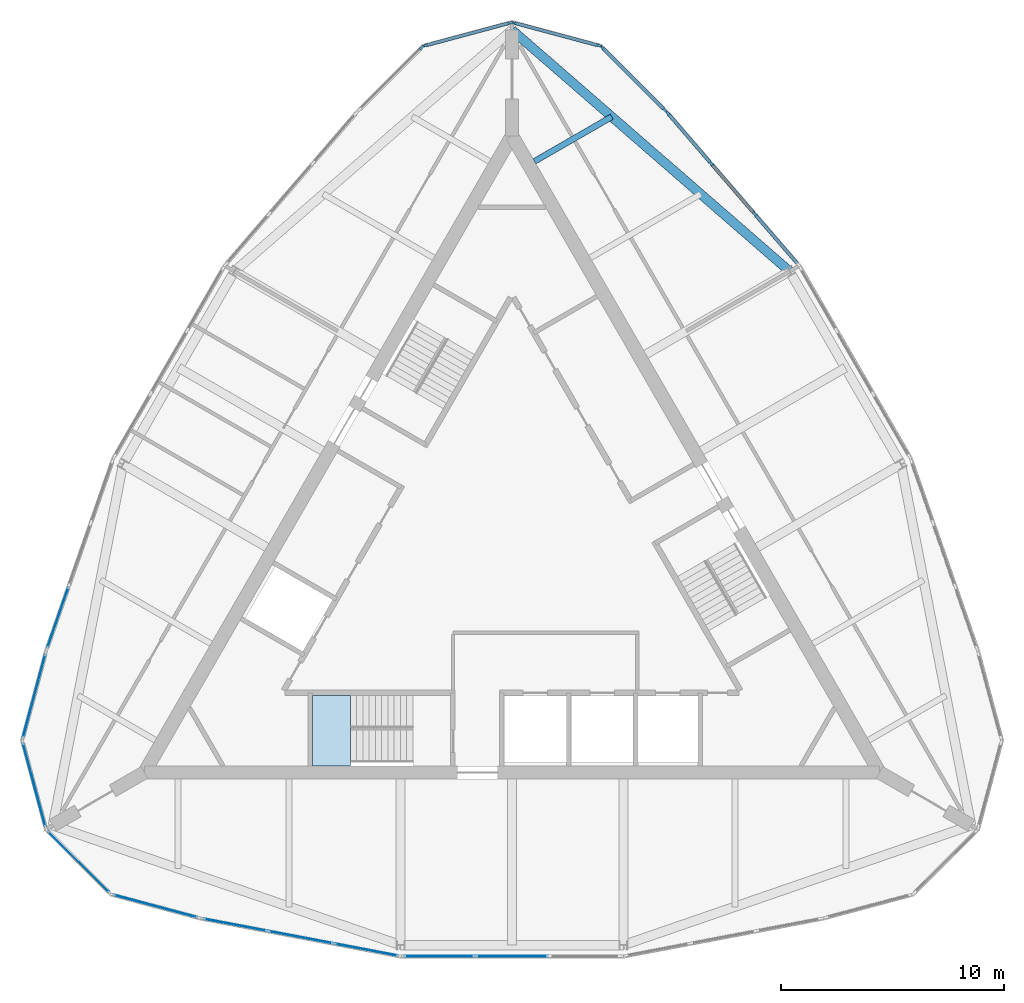
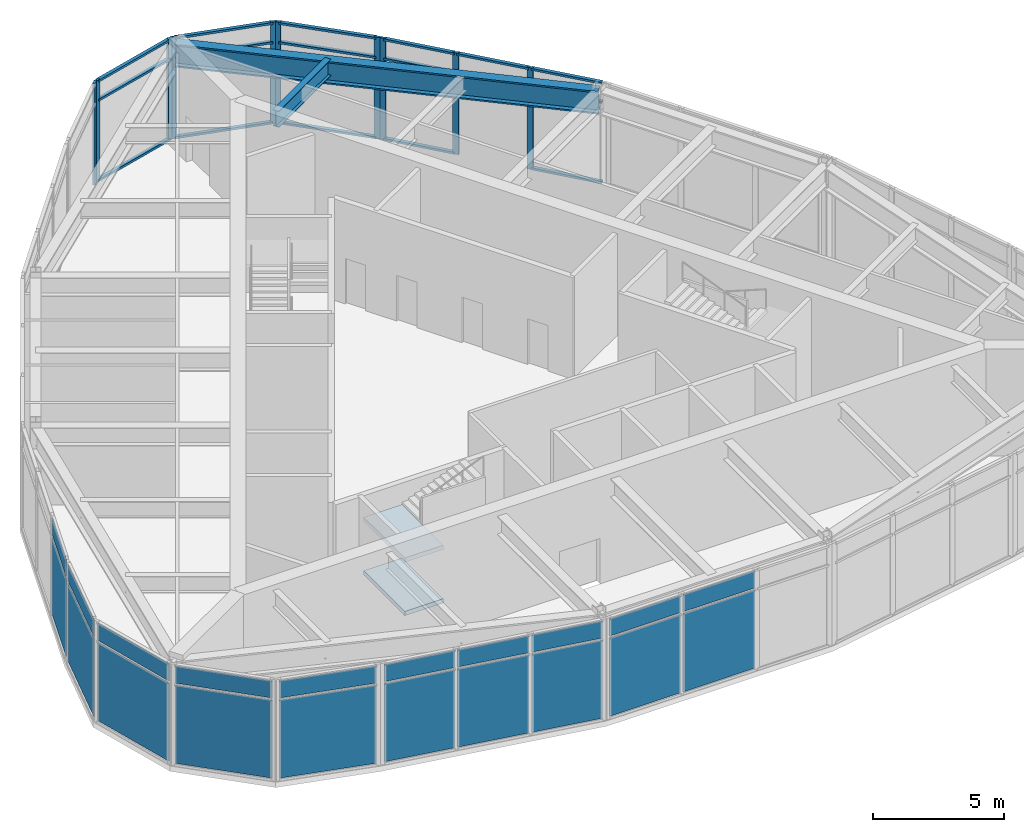
# One storey, part 4 of 9: 26 members, 20 plates, 2 beams, 2 slabs, 13 elements without a shape of their own.
"""IFC4 building model written with IfcOpenShell, lengths in metres."""

from ifc_helpers import new_model, si_unit, direction, frame, origin, origin_2d, place, context, subcontext, project, spatial, polyline, rectangle, i_section, outline, extrude, material, layer, layer_set, material_profile, profile_set, type_object, element, aggregate, save


model = new_model("IFC4")

# Units and contexts
model_context = context("Model", 3, precision=1e-05, world=origin(), true_north=direction((0.0, 1.0)))
body_context = subcontext(model_context, "Body", "Model", "MODEL_VIEW")
ifc_project = project(units=[si_unit("LENGTHUNIT", "METRE"), si_unit("AREAUNIT", "SQUARE_METRE"), si_unit("VOLUMEUNIT", "CUBIC_METRE"), si_unit("PLANEANGLEUNIT", "RADIAN"), si_unit("MASSUNIT", "GRAM", prefix="KILO")], contexts=[model_context])

# Site, building, storey
site_placement = place(None, origin())
site = spatial("IfcSite", under=ifc_project, at=site_placement, CompositionType="ELEMENT")
building_placement = place(site_placement, origin())
building = spatial("IfcBuilding", under=site, at=building_placement, Name="Trikona Tower", CompositionType="ELEMENT")
storey_placement = place(building_placement, frame((0.0, 0.0, 292.800048828125)))
storey = spatial("IfcBuildingStorey", under=building, at=storey_placement, Name="L76", CompositionType="ELEMENT", Elevation=292.800048828125)

# Curtain wall, members
ifc_material_1 = material(Name="Aluminium curtain wall system", Category="aluminium")
curtain_wall_type = type_object("IfcCurtainWallType", Name="Curtain wall OB", PredefinedType="NOTDEFINED", material=ifc_material_1)
curtain_wall_1_placement = place(storey_placement, origin())
curtain_wall_1 = element("IfcCurtainWall", 1, at=curtain_wall_1_placement, inside=storey, type_object=curtain_wall_type, Name="Curtain wall OB L76", PredefinedType="NOTDEFINED")
ifc_material_2 = material(Name="Aluminium mullion, pale anodised", Category="aluminium")
ifc_material_profile_1 = material_profile(ifc_material_2, rectangle(XDim=0.10009765625, YDim=0.25, at=origin_2d()), Name="MUL-OB")
ifc_profile_set_1 = profile_set([ifc_material_profile_1], Name="Aluminium mullion, pale anodised")
member_type_1 = type_object("IfcMemberType", Name="Mullion OB 100x250", PredefinedType="MULLION", material=ifc_profile_set_1)
member_1_placement = place(storey_placement, frame((10.8984375, 15.531005859375, 0.0), z_axis=(0.0, 0.0, 1.0), x_axis=(-0.757475219973, -0.652863914707, 0.0)))
member_1 = element("IfcMember", 2, at=member_1_placement, type_object=member_type_1, Name="CW-OB mullion 2", PredefinedType="MULLION", context=body_context, shape_type="SweptSolid", body=[
    extrude(rectangle(XDim=0.10009765625, YDim=0.25, at=origin_2d()), origin(), (0.0, 0.0, 1.0), 4.75),
])
member_2_placement = place(storey_placement, frame((8.930908203125, 17.813720703125, 0.0), z_axis=(0.0, 0.0, 1.0), x_axis=(-0.757475219973, -0.652863914707, 0.0)))
member_2 = element("IfcMember", 3, at=member_2_placement, type_object=member_type_1, Name="CW-OB mullion 3", PredefinedType="MULLION", context=body_context, shape_type="SweptSolid", body=[
    extrude(rectangle(XDim=0.10009765625, YDim=0.25, at=origin_2d()), origin(), (0.0, 0.0, 1.0), 4.75),
])
member_3_placement = place(storey_placement, frame((6.99609375, 20.058837890625, 0.0), z_axis=(0.0, 0.0, 1.0), x_axis=(-0.757475219973, -0.652863914707, 0.0)))
member_3 = element("IfcMember", 4, at=member_3_placement, type_object=member_type_1, Name="CW-OB mullion 4", PredefinedType="MULLION", context=body_context, shape_type="SweptSolid", body=[
    extrude(rectangle(XDim=0.10009765625, YDim=0.25, at=origin_2d()), origin(), (0.0, 0.0, 1.0), 4.75),
])

curtain_wall_2_placement = place(storey_placement, origin())
curtain_wall_2 = element("IfcCurtainWall", 5, at=curtain_wall_2_placement, inside=storey, type_object=curtain_wall_type, Name="Curtain wall OB L76", PredefinedType="NOTDEFINED")
member_4_placement = place(storey_placement, frame((6.8515625, 20.21435546875, 0.0), z_axis=(0.0, 0.0, 1.0), x_axis=(-0.707106781187, -0.707106781187, 0.0)))
member_4 = element("IfcMember", 6, at=member_4_placement, type_object=member_type_1, Name="CW-OB mullion 1", PredefinedType="MULLION", context=body_context, shape_type="SweptSolid", body=[
    extrude(rectangle(XDim=0.10009765625, YDim=0.25, at=origin_2d()), origin(), (0.0, 0.0, 1.0), 4.75),
])
member_5_placement = place(storey_placement, frame((4.048583984375, 23.017333984375, 0.0), z_axis=(0.0, 0.0, 1.0), x_axis=(-0.707106781187, -0.707106781187, 0.0)))
member_5 = element("IfcMember", 7, at=member_5_placement, type_object=member_type_1, Name="CW-OB mullion 2", PredefinedType="MULLION", context=body_context, shape_type="SweptSolid", body=[
    extrude(rectangle(XDim=0.10009765625, YDim=0.25, at=origin_2d()), origin(), (0.0, 0.0, 1.0), 4.75),
])

curtain_wall_3_placement = place(storey_placement, origin())
curtain_wall_3 = element("IfcCurtainWall", 8, at=curtain_wall_3_placement, inside=storey, type_object=curtain_wall_type, Name="Curtain wall OB L76", PredefinedType="NOTDEFINED")
member_6_placement = place(storey_placement, frame((3.909423828125, 23.09765625, 0.0), z_axis=(0.0, 0.0, 1.0), x_axis=(-0.258827918204, -0.965923448705, 0.0)))
member_6 = element("IfcMember", 9, at=member_6_placement, type_object=member_type_1, Name="CW-OB mullion 1", PredefinedType="MULLION", context=body_context, shape_type="SweptSolid", body=[
    extrude(rectangle(XDim=0.10009765625, YDim=0.25, at=origin_2d()), origin(), (0.0, 0.0, 1.0), 4.75),
])
member_7_placement = place(storey_placement, frame((0.080322265625, 24.123779296875, 0.0), z_axis=(0.0, 0.0, 1.0), x_axis=(-0.258827918204, -0.965923448705, 0.0)))
member_7 = element("IfcMember", 10, at=member_7_placement, type_object=member_type_1, Name="CW-OB mullion 2", PredefinedType="MULLION", context=body_context, shape_type="SweptSolid", body=[
    extrude(rectangle(XDim=0.10009765625, YDim=0.25, at=origin_2d()), origin(), (0.0, 0.0, 1.0), 4.75),
])

curtain_wall_4_placement = place(storey_placement, origin())
curtain_wall_4 = element("IfcCurtainWall", 11, at=curtain_wall_4_placement, inside=storey, type_object=curtain_wall_type, Name="Curtain wall OB L76", PredefinedType="NOTDEFINED")
member_8_placement = place(storey_placement, frame((-0.080322265625, 24.123779296875, 0.0), z_axis=(0.0, 0.0, 1.0), x_axis=(0.258827918204, -0.965923448705, 0.0)))
member_8 = element("IfcMember", 12, at=member_8_placement, type_object=member_type_1, Name="CW-OB mullion 1", PredefinedType="MULLION", context=body_context, shape_type="SweptSolid", body=[
    extrude(rectangle(XDim=0.10009765625, YDim=0.25, at=origin_2d()), origin(), (0.0, 0.0, 1.0), 4.75),
])
member_9_placement = place(storey_placement, frame((-3.909423828125, 23.09765625, 0.0), z_axis=(0.0, 0.0, 1.0), x_axis=(0.258827918204, -0.965923448705, 0.0)))
member_9 = element("IfcMember", 13, at=member_9_placement, type_object=member_type_1, Name="CW-OB mullion 2", PredefinedType="MULLION", context=body_context, shape_type="SweptSolid", body=[
    extrude(rectangle(XDim=0.10009765625, YDim=0.25, at=origin_2d()), origin(), (0.0, 0.0, 1.0), 4.75),
])

# Curtain wall, member
curtain_wall_5_placement = place(storey_placement, origin())
curtain_wall_5 = element("IfcCurtainWall", 14, at=curtain_wall_5_placement, inside=storey, type_object=curtain_wall_type, Name="Curtain wall OB L76", PredefinedType="NOTDEFINED")
member_10_placement = place(storey_placement, frame((-4.048583984375, 23.017333984375, 0.0), z_axis=(0.0, 0.0, 1.0), x_axis=(0.707106781187, -0.707106781187, 0.0)))
member_10 = element("IfcMember", 15, at=member_10_placement, type_object=member_type_1, Name="CW-OB mullion 1", PredefinedType="MULLION", context=body_context, shape_type="SweptSolid", body=[
    extrude(rectangle(XDim=0.10009765625, YDim=0.25, at=origin_2d()), origin(), (0.0, 0.0, 1.0), 4.75),
])
aggregate(curtain_wall_5, [member_10])

# Beams
ifc_material_3 = material(Name="Steel ASTM A992 Grade 50", Category="steel")
ifc_material_profile_2 = material_profile(ifc_material_3, i_section(OverallWidth=0.2666015625, OverallDepth=0.76953125, WebThickness=0.015625, FlangeThickness=0.025390625, at=origin_2d()), Name="W30X132")
ifc_profile_set_2 = profile_set([ifc_material_profile_2], Name="Steel ASTM A992 Grade 50")
beam_type_1 = type_object("IfcBeamType", Name="Steel beam W30x132 (wedge)", PredefinedType="BEAM", material=ifc_profile_set_2)
beam_1_placement = place(storey_placement, frame((1.009765625, 17.903564453125, 4.365234375), z_axis=(0.866025209122, 0.500000337164, 0.0), x_axis=(-0.500000337164, 0.866025209122, 0.0)))
element("IfcBeam", 16, at=beam_1_placement, inside=storey, type_object=beam_type_1, Name="Floor beam L77 F2 u15", PredefinedType="BEAM", context=body_context, shape_type="SweptSolid", body=[
    extrude(i_section(OverallWidth=0.2666015625, OverallDepth=0.76953125, WebThickness=0.015625, FlangeThickness=0.025390625, at=origin_2d()), origin(), (0.0, 0.0, 1.0), 4.00537109375),
])
ifc_material_4 = material(Name="Steel ASTM A992 Grade 50", Category="steel")
ifc_material_profile_3 = material_profile(ifc_material_4, i_section(OverallWidth=0.41650390625, OverallDepth=1.0693359375, WebThickness=0.0390625, FlangeThickness=0.070068359375, at=origin_2d()), Name="W40X503")
ifc_profile_set_3 = profile_set([ifc_material_profile_3], Name="Steel ASTM A992 Grade 50")
beam_type_2 = type_object("IfcBeamType", Name="Steel beam W40x503 (crown spandrel)", PredefinedType="SPANDREL", material=ifc_profile_set_3)
beam_2_placement = place(storey_placement, frame((12.461181640625, 12.968017578125, 4.21533203125), z_axis=(-0.754762765652, 0.655997841144, 0.0), x_axis=(-0.655997841144, -0.754762765652, 0.0)))
element("IfcBeam", 17, at=beam_2_placement, inside=storey, type_object=beam_type_2, Name="Spandrel beam L77 F2-3", PredefinedType="SPANDREL", context=body_context, shape_type="SweptSolid", body=[
    extrude(i_section(OverallWidth=0.41650390625, OverallDepth=1.0693359375, WebThickness=0.0390625, FlangeThickness=0.070068359375, at=origin_2d()), origin(), (0.0, 0.0, 1.0), 16.510009765625),
])

# Member
ifc_material_5 = material(Name="Aluminium transom, pale anodised", Category="aluminium")
ifc_material_profile_4 = material_profile(ifc_material_5, rectangle(XDim=0.14990234375, YDim=0.10009765625, at=origin_2d()), Name="TRN-OB")
ifc_profile_set_4 = profile_set([ifc_material_profile_4], Name="Aluminium transom, pale anodised")
member_type_2 = type_object("IfcMemberType", Name="Transom OB 100x150", PredefinedType="USERDEFINED", material=ifc_profile_set_4)
member_11_placement = place(storey_placement, frame((12.80078125, 13.323974609375, 0.050048828125), z_axis=(-0.65286710173, 0.757472473083, 0.0), x_axis=(-0.757472473083, -0.65286710173, 0.0)))
member_11 = element("IfcMember", 18, at=member_11_placement, type_object=member_type_2, Name="CW-OB transom 1.1", ObjectType="TRANSOM", PredefinedType="USERDEFINED", context=body_context, shape_type="SweptSolid", body=[
    extrude(rectangle(XDim=0.14990234375, YDim=0.10009765625, at=origin_2d()), origin(), (0.0, 0.0, 1.0), 2.86376953125),
])

member_12_placement = place(storey_placement, frame((12.80078125, 13.323974609375, 3.800048828125), z_axis=(-0.65286710173, 0.757472473083, 0.0), x_axis=(-0.757472473083, -0.65286710173, 0.0)))
member_12 = element("IfcMember", 19, at=member_12_placement, type_object=member_type_2, Name="CW-OB transom 1.2", ObjectType="TRANSOM", PredefinedType="USERDEFINED", context=body_context, shape_type="SweptSolid", body=[
    extrude(rectangle(XDim=0.14990234375, YDim=0.10009765625, at=origin_2d()), origin(), (0.0, 0.0, 1.0), 2.86376953125),
])

member_13_placement = place(storey_placement, frame((12.80078125, 13.323974609375, 4.699951171875), z_axis=(-0.65286710173, 0.757472473083, 0.0), x_axis=(-0.757472473083, -0.65286710173, 0.0)))
member_13 = element("IfcMember", 20, at=member_13_placement, type_object=member_type_2, Name="CW-OB transom 1.3", ObjectType="TRANSOM", PredefinedType="USERDEFINED", context=body_context, shape_type="SweptSolid", body=[
    extrude(rectangle(XDim=0.14990234375, YDim=0.10009765625, at=origin_2d()), origin(), (0.0, 0.0, 1.0), 2.86376953125),
])

member_14_placement = place(storey_placement, frame((10.86572265625, 15.56884765625, 4.699951171875), z_axis=(-0.652838503386, 0.757497121115, 0.0), x_axis=(-0.757497121115, -0.652838503386, 0.0)))
member_14 = element("IfcMember", 21, at=member_14_placement, type_object=member_type_2, Name="CW-OB transom 2.3", ObjectType="TRANSOM", PredefinedType="USERDEFINED", context=body_context, shape_type="SweptSolid", body=[
    extrude(rectangle(XDim=0.14990234375, YDim=0.10009765625, at=origin_2d()), origin(), (0.0, 0.0, 1.0), 2.91357421875),
])

member_15_placement = place(storey_placement, frame((8.898193359375, 17.8515625, 0.050048828125), z_axis=(-0.65286710173, 0.757472473083, 0.0), x_axis=(-0.757472473083, -0.65286710173, 0.0)))
member_15 = element("IfcMember", 22, at=member_15_placement, type_object=member_type_2, Name="CW-OB transom 3.1", ObjectType="TRANSOM", PredefinedType="USERDEFINED", context=body_context, shape_type="SweptSolid", body=[
    extrude(rectangle(XDim=0.14990234375, YDim=0.10009765625, at=origin_2d()), origin(), (0.0, 0.0, 1.0), 2.86376953125),
])

member_16_placement = place(storey_placement, frame((8.898193359375, 17.8515625, 3.800048828125), z_axis=(-0.65286710173, 0.757472473083, 0.0), x_axis=(-0.757472473083, -0.65286710173, 0.0)))
member_16 = element("IfcMember", 23, at=member_16_placement, type_object=member_type_2, Name="CW-OB transom 3.2", ObjectType="TRANSOM", PredefinedType="USERDEFINED", context=body_context, shape_type="SweptSolid", body=[
    extrude(rectangle(XDim=0.14990234375, YDim=0.10009765625, at=origin_2d()), origin(), (0.0, 0.0, 1.0), 2.86376953125),
])

member_17_placement = place(storey_placement, frame((8.898193359375, 17.8515625, 4.699951171875), z_axis=(-0.65286710173, 0.757472473083, 0.0), x_axis=(-0.757472473083, -0.65286710173, 0.0)))
member_17 = element("IfcMember", 24, at=member_17_placement, type_object=member_type_2, Name="CW-OB transom 3.3", ObjectType="TRANSOM", PredefinedType="USERDEFINED", context=body_context, shape_type="SweptSolid", body=[
    extrude(rectangle(XDim=0.14990234375, YDim=0.10009765625, at=origin_2d()), origin(), (0.0, 0.0, 1.0), 2.86376953125),
])

aggregate(curtain_wall_1, [member_1, member_2, member_3, member_11, member_12, member_13, member_14, member_15, member_16, member_17])

member_18_placement = place(storey_placement, frame((6.816162109375, 20.249755859375, 0.050048828125), z_axis=(-0.707106781187, 0.707106781187, 0.0), x_axis=(-0.707106781187, -0.707106781187, 0.0)))
member_18 = element("IfcMember", 25, at=member_18_placement, type_object=member_type_2, Name="CW-OB transom 1.1", ObjectType="TRANSOM", PredefinedType="USERDEFINED", context=body_context, shape_type="SweptSolid", body=[
    extrude(rectangle(XDim=0.14990234375, YDim=0.10009765625, at=origin_2d()), origin(), (0.0, 0.0, 1.0), 3.86376953125),
])

member_19_placement = place(storey_placement, frame((6.816162109375, 20.249755859375, 3.800048828125), z_axis=(-0.707106781187, 0.707106781187, 0.0), x_axis=(-0.707106781187, -0.707106781187, 0.0)))
member_19 = element("IfcMember", 26, at=member_19_placement, type_object=member_type_2, Name="CW-OB transom 1.2", ObjectType="TRANSOM", PredefinedType="USERDEFINED", context=body_context, shape_type="SweptSolid", body=[
    extrude(rectangle(XDim=0.14990234375, YDim=0.10009765625, at=origin_2d()), origin(), (0.0, 0.0, 1.0), 3.86376953125),
])

member_20_placement = place(storey_placement, frame((6.816162109375, 20.249755859375, 4.699951171875), z_axis=(-0.707106781187, 0.707106781187, 0.0), x_axis=(-0.707106781187, -0.707106781187, 0.0)))
member_20 = element("IfcMember", 27, at=member_20_placement, type_object=member_type_2, Name="CW-OB transom 1.3", ObjectType="TRANSOM", PredefinedType="USERDEFINED", context=body_context, shape_type="SweptSolid", body=[
    extrude(rectangle(XDim=0.14990234375, YDim=0.10009765625, at=origin_2d()), origin(), (0.0, 0.0, 1.0), 3.86376953125),
])

aggregate(curtain_wall_2, [member_4, member_5, member_18, member_19, member_20])

member_21_placement = place(storey_placement, frame((3.861083984375, 23.110595703125, 0.050048828125), z_axis=(-0.965932258808, 0.25879503742, 0.0), x_axis=(-0.25879503742, -0.965932258808, 0.0)))
member_21 = element("IfcMember", 28, at=member_21_placement, type_object=member_type_2, Name="CW-OB transom 1.1", ObjectType="TRANSOM", PredefinedType="USERDEFINED", context=body_context, shape_type="SweptSolid", body=[
    extrude(rectangle(XDim=0.14990234375, YDim=0.10009765625, at=origin_2d()), origin(), (0.0, 0.0, 1.0), 3.864013671875),
])

member_22_placement = place(storey_placement, frame((3.861083984375, 23.110595703125, 3.800048828125), z_axis=(-0.965932258808, 0.25879503742, 0.0), x_axis=(-0.25879503742, -0.965932258808, 0.0)))
member_22 = element("IfcMember", 29, at=member_22_placement, type_object=member_type_2, Name="CW-OB transom 1.2", ObjectType="TRANSOM", PredefinedType="USERDEFINED", context=body_context, shape_type="SweptSolid", body=[
    extrude(rectangle(XDim=0.14990234375, YDim=0.10009765625, at=origin_2d()), origin(), (0.0, 0.0, 1.0), 3.864013671875),
])

member_23_placement = place(storey_placement, frame((3.861083984375, 23.110595703125, 4.699951171875), z_axis=(-0.965932258808, 0.25879503742, 0.0), x_axis=(-0.25879503742, -0.965932258808, 0.0)))
member_23 = element("IfcMember", 30, at=member_23_placement, type_object=member_type_2, Name="CW-OB transom 1.3", ObjectType="TRANSOM", PredefinedType="USERDEFINED", context=body_context, shape_type="SweptSolid", body=[
    extrude(rectangle(XDim=0.14990234375, YDim=0.10009765625, at=origin_2d()), origin(), (0.0, 0.0, 1.0), 3.864013671875),
])

aggregate(curtain_wall_3, [member_6, member_7, member_21, member_22, member_23])

member_24_placement = place(storey_placement, frame((-0.128662109375, 24.110595703125, 0.050048828125), z_axis=(-0.965932258808, -0.25879503742, 0.0), x_axis=(0.25879503742, -0.965932258808, 0.0)))
member_24 = element("IfcMember", 31, at=member_24_placement, type_object=member_type_2, Name="CW-OB transom 1.1", ObjectType="TRANSOM", PredefinedType="USERDEFINED", context=body_context, shape_type="SweptSolid", body=[
    extrude(rectangle(XDim=0.14990234375, YDim=0.10009765625, at=origin_2d()), origin(), (0.0, 0.0, 1.0), 3.864013671875),
])

member_25_placement = place(storey_placement, frame((-0.128662109375, 24.110595703125, 3.800048828125), z_axis=(-0.965932258808, -0.25879503742, 0.0), x_axis=(0.25879503742, -0.965932258808, 0.0)))
member_25 = element("IfcMember", 32, at=member_25_placement, type_object=member_type_2, Name="CW-OB transom 1.2", ObjectType="TRANSOM", PredefinedType="USERDEFINED", context=body_context, shape_type="SweptSolid", body=[
    extrude(rectangle(XDim=0.14990234375, YDim=0.10009765625, at=origin_2d()), origin(), (0.0, 0.0, 1.0), 3.864013671875),
])

member_26_placement = place(storey_placement, frame((-0.128662109375, 24.110595703125, 4.699951171875), z_axis=(-0.965932258808, -0.25879503742, 0.0), x_axis=(0.25879503742, -0.965932258808, 0.0)))
member_26 = element("IfcMember", 33, at=member_26_placement, type_object=member_type_2, Name="CW-OB transom 1.3", ObjectType="TRANSOM", PredefinedType="USERDEFINED", context=body_context, shape_type="SweptSolid", body=[
    extrude(rectangle(XDim=0.14990234375, YDim=0.10009765625, at=origin_2d()), origin(), (0.0, 0.0, 1.0), 3.864013671875),
])

aggregate(curtain_wall_4, [member_8, member_9, member_24, member_25, member_26])

# Curtain wall, plates
curtain_wall_6_placement = place(storey_placement, origin())
curtain_wall_6 = element("IfcCurtainWall", 34, at=curtain_wall_6_placement, inside=storey, type_object=curtain_wall_type, Name="Curtain wall OB L76", PredefinedType="NOTDEFINED")
ifc_material_6 = material(Name="Clear insulating glass unit", Category="glass")
ifc_layer_1 = layer(ifc_material_6, 0.028076171875)
ifc_layer_set_1 = layer_set([ifc_layer_1], Name="Glass panel OB")
plate_type = type_object("IfcPlateType", Name="Glass panel OB", PredefinedType="CURTAIN_PANEL", material=ifc_layer_set_1)
plate_1_placement = place(storey_placement, frame((-12.41748046875, -16.36474609375, 0.10009765625), z_axis=(0.0, 0.0, 1.0), x_axis=(0.982424431419, -0.186660752571, 0.0)))
plate_1 = element("IfcPlate", 35, at=plate_1_placement, type_object=plate_type, Name="CW-OB panel 1.1", PredefinedType="CURTAIN_PANEL", context=body_context, shape_type="SweptSolid", body=[
    extrude(rectangle(XDim=2.86376953125, YDim=0.028076171875, at=origin_2d()), origin(), (0.0, 0.0, 1.0), 3.64990234375),
])
plate_2_placement = place(storey_placement, frame((-12.41748046875, -16.36474609375, 3.85009765625), z_axis=(0.0, 0.0, 1.0), x_axis=(0.982424431419, -0.186660752571, 0.0)))
plate_2 = element("IfcPlate", 36, at=plate_2_placement, type_object=plate_type, Name="CW-OB panel 1.2", PredefinedType="CURTAIN_PANEL", context=body_context, shape_type="SweptSolid", body=[
    extrude(rectangle(XDim=2.86376953125, YDim=0.028076171875, at=origin_2d()), origin(), (0.0, 0.0, 1.0), 0.800048828125),
])
plate_3_placement = place(storey_placement, frame((-9.4814453125, -16.922607421875, 0.10009765625), z_axis=(0.0, 0.0, 1.0), x_axis=(0.982424431419, -0.186660752571, 0.0)))
plate_3 = element("IfcPlate", 37, at=plate_3_placement, type_object=plate_type, Name="CW-OB panel 2.1", PredefinedType="CURTAIN_PANEL", context=body_context, shape_type="SweptSolid", body=[
    extrude(rectangle(XDim=2.91357421875, YDim=0.028076171875, at=origin_2d()), origin(), (0.0, 0.0, 1.0), 3.64990234375),
])
plate_4_placement = place(storey_placement, frame((-9.4814453125, -16.922607421875, 3.85009765625), z_axis=(0.0, 0.0, 1.0), x_axis=(0.982424431419, -0.186660752571, 0.0)))
plate_4 = element("IfcPlate", 38, at=plate_4_placement, type_object=plate_type, Name="CW-OB panel 2.2", PredefinedType="CURTAIN_PANEL", context=body_context, shape_type="SweptSolid", body=[
    extrude(rectangle(XDim=2.91357421875, YDim=0.028076171875, at=origin_2d()), origin(), (0.0, 0.0, 1.0), 0.800048828125),
])
plate_5_placement = place(storey_placement, frame((-6.545166015625, -17.48046875, 0.10009765625), z_axis=(0.0, 0.0, 1.0), x_axis=(0.982424431419, -0.186660752571, 0.0)))
plate_5 = element("IfcPlate", 39, at=plate_5_placement, type_object=plate_type, Name="CW-OB panel 3.1", PredefinedType="CURTAIN_PANEL", context=body_context, shape_type="SweptSolid", body=[
    extrude(rectangle(XDim=2.86376953125, YDim=0.028076171875, at=origin_2d()), origin(), (0.0, 0.0, 1.0), 3.64990234375),
])
plate_6_placement = place(storey_placement, frame((-6.545166015625, -17.48046875, 3.85009765625), z_axis=(0.0, 0.0, 1.0), x_axis=(0.982424431419, -0.186660752571, 0.0)))
plate_6 = element("IfcPlate", 40, at=plate_6_placement, type_object=plate_type, Name="CW-OB panel 3.2", PredefinedType="CURTAIN_PANEL", context=body_context, shape_type="SweptSolid", body=[
    extrude(rectangle(XDim=2.86376953125, YDim=0.028076171875, at=origin_2d()), origin(), (0.0, 0.0, 1.0), 0.800048828125),
])
aggregate(curtain_wall_6, [plate_1, plate_2, plate_3, plate_4, plate_5, plate_6])

curtain_wall_7_placement = place(storey_placement, origin())
curtain_wall_7 = element("IfcCurtainWall", 41, at=curtain_wall_7_placement, inside=storey, type_object=curtain_wall_type, Name="Curtain wall OB L76", PredefinedType="NOTDEFINED")
plate_7_placement = place(storey_placement, frame((-3.268310546875, -17.77587890625, 0.10009765625), z_axis=(0.0, 0.0, 1.0), x_axis=(1.0, 0.0, 0.0)))
plate_7 = element("IfcPlate", 42, at=plate_7_placement, type_object=plate_type, Name="CW-OB panel 1.1", PredefinedType="CURTAIN_PANEL", context=body_context, shape_type="SweptSolid", body=[
    extrude(rectangle(XDim=3.143310546875, YDim=0.028076171875, at=origin_2d()), origin(), (0.0, 0.0, 1.0), 3.64990234375),
])
plate_8_placement = place(storey_placement, frame((-3.268310546875, -17.77587890625, 3.85009765625), z_axis=(0.0, 0.0, 1.0), x_axis=(1.0, 0.0, 0.0)))
plate_8 = element("IfcPlate", 43, at=plate_8_placement, type_object=plate_type, Name="CW-OB panel 1.2", PredefinedType="CURTAIN_PANEL", context=body_context, shape_type="SweptSolid", body=[
    extrude(rectangle(XDim=3.143310546875, YDim=0.028076171875, at=origin_2d()), origin(), (0.0, 0.0, 1.0), 0.800048828125),
])
plate_9_placement = place(storey_placement, frame((0.0, -17.77587890625, 0.10009765625), z_axis=(0.0, 0.0, 1.0), x_axis=(1.0, 0.0, 0.0)))
plate_9 = element("IfcPlate", 44, at=plate_9_placement, type_object=plate_type, Name="CW-OB panel 2.1", PredefinedType="CURTAIN_PANEL", context=body_context, shape_type="SweptSolid", body=[
    extrude(rectangle(XDim=3.193359375, YDim=0.028076171875, at=origin_2d()), origin(), (0.0, 0.0, 1.0), 3.64990234375),
])
plate_10_placement = place(storey_placement, frame((0.0, -17.77587890625, 3.85009765625), z_axis=(0.0, 0.0, 1.0), x_axis=(1.0, 0.0, 0.0)))
plate_10 = element("IfcPlate", 45, at=plate_10_placement, type_object=plate_type, Name="CW-OB panel 2.2", PredefinedType="CURTAIN_PANEL", context=body_context, shape_type="SweptSolid", body=[
    extrude(rectangle(XDim=3.193359375, YDim=0.028076171875, at=origin_2d()), origin(), (0.0, 0.0, 1.0), 0.800048828125),
])
aggregate(curtain_wall_7, [plate_7, plate_8, plate_9, plate_10])

curtain_wall_8_placement = place(storey_placement, origin())
curtain_wall_8 = element("IfcCurtainWall", 46, at=curtain_wall_8_placement, inside=storey, type_object=curtain_wall_type, Name="Curtain wall OB L76", PredefinedType="NOTDEFINED")
plate_11_placement = place(storey_placement, frame((-20.380859375, -2.571533203125, 0.10009765625), z_axis=(0.0, 0.0, 1.0), x_axis=(-0.329552165935, -0.944137368145, 0.0)))
plate_11 = element("IfcPlate", 47, at=plate_11_placement, type_object=plate_type, Name="CW-OB panel 3.1", PredefinedType="CURTAIN_PANEL", context=body_context, shape_type="SweptSolid", body=[
    extrude(rectangle(XDim=2.86376953125, YDim=0.028076171875, at=origin_2d()), origin(), (0.0, 0.0, 1.0), 3.64990234375),
])
plate_12_placement = place(storey_placement, frame((-20.380859375, -2.571533203125, 3.85009765625), z_axis=(0.0, 0.0, 1.0), x_axis=(-0.329552165935, -0.944137368145, 0.0)))
plate_12 = element("IfcPlate", 48, at=plate_12_placement, type_object=plate_type, Name="CW-OB panel 3.2", PredefinedType="CURTAIN_PANEL", context=body_context, shape_type="SweptSolid", body=[
    extrude(rectangle(XDim=2.86376953125, YDim=0.028076171875, at=origin_2d()), origin(), (0.0, 0.0, 1.0), 0.800048828125),
])
aggregate(curtain_wall_8, [plate_11, plate_12])

curtain_wall_9_placement = place(storey_placement, origin())
curtain_wall_9 = element("IfcCurtainWall", 49, at=curtain_wall_9_placement, inside=storey, type_object=curtain_wall_type, Name="Curtain wall OB L76", PredefinedType="NOTDEFINED")
plate_13_placement = place(storey_placement, frame((-21.44482421875, -6.088134765625, 0.10009765625), z_axis=(0.0, 0.0, 1.0), x_axis=(-0.258834069983, -0.965921800259, 0.0)))
plate_13 = element("IfcPlate", 50, at=plate_13_placement, type_object=plate_type, Name="CW-OB panel 1.1", PredefinedType="CURTAIN_PANEL", context=body_context, shape_type="SweptSolid", body=[
    extrude(rectangle(XDim=3.864013671875, YDim=0.028076171875, at=origin_2d()), origin(), (0.0, 0.0, 1.0), 3.64990234375),
])
plate_14_placement = place(storey_placement, frame((-21.44482421875, -6.088134765625, 3.85009765625), z_axis=(0.0, 0.0, 1.0), x_axis=(-0.258834069983, -0.965921800259, 0.0)))
plate_14 = element("IfcPlate", 51, at=plate_14_placement, type_object=plate_type, Name="CW-OB panel 1.2", PredefinedType="CURTAIN_PANEL", context=body_context, shape_type="SweptSolid", body=[
    extrude(rectangle(XDim=3.864013671875, YDim=0.028076171875, at=origin_2d()), origin(), (0.0, 0.0, 1.0), 0.800048828125),
])
aggregate(curtain_wall_9, [plate_13, plate_14])

curtain_wall_10_placement = place(storey_placement, origin())
curtain_wall_10 = element("IfcCurtainWall", 52, at=curtain_wall_10_placement, inside=storey, type_object=curtain_wall_type, Name="Curtain wall OB L76", PredefinedType="NOTDEFINED")
plate_15_placement = place(storey_placement, frame((-21.44482421875, -10.077880859375, 0.10009765625), z_axis=(0.0, 0.0, 1.0), x_axis=(0.258827918204, -0.965923448705, 0.0)))
plate_15 = element("IfcPlate", 53, at=plate_15_placement, type_object=plate_type, Name="CW-OB panel 1.1", PredefinedType="CURTAIN_PANEL", context=body_context, shape_type="SweptSolid", body=[
    extrude(rectangle(XDim=3.864013671875, YDim=0.028076171875, at=origin_2d()), origin(), (0.0, 0.0, 1.0), 3.64990234375),
])
plate_16_placement = place(storey_placement, frame((-21.44482421875, -10.077880859375, 3.85009765625), z_axis=(0.0, 0.0, 1.0), x_axis=(0.258827918204, -0.965923448705, 0.0)))
plate_16 = element("IfcPlate", 54, at=plate_16_placement, type_object=plate_type, Name="CW-OB panel 1.2", PredefinedType="CURTAIN_PANEL", context=body_context, shape_type="SweptSolid", body=[
    extrude(rectangle(XDim=3.864013671875, YDim=0.028076171875, at=origin_2d()), origin(), (0.0, 0.0, 1.0), 0.800048828125),
])
aggregate(curtain_wall_10, [plate_15, plate_16])

curtain_wall_11_placement = place(storey_placement, origin())
curtain_wall_11 = element("IfcCurtainWall", 55, at=curtain_wall_11_placement, inside=storey, type_object=curtain_wall_type, Name="Curtain wall OB L76", PredefinedType="NOTDEFINED")
plate_17_placement = place(storey_placement, frame((-19.449951171875, -13.532958984375, 0.10009765625), z_axis=(0.0, 0.0, 1.0), x_axis=(0.707106781187, -0.707106781187, 0.0)))
plate_17 = element("IfcPlate", 56, at=plate_17_placement, type_object=plate_type, Name="CW-OB panel 1.1", PredefinedType="CURTAIN_PANEL", context=body_context, shape_type="SweptSolid", body=[
    extrude(rectangle(XDim=3.864013671875, YDim=0.028076171875, at=origin_2d()), origin(), (0.0, 0.0, 1.0), 3.64990234375),
])
plate_18_placement = place(storey_placement, frame((-19.449951171875, -13.532958984375, 3.85009765625), z_axis=(0.0, 0.0, 1.0), x_axis=(0.707106781187, -0.707106781187, 0.0)))
plate_18 = element("IfcPlate", 57, at=plate_18_placement, type_object=plate_type, Name="CW-OB panel 1.2", PredefinedType="CURTAIN_PANEL", context=body_context, shape_type="SweptSolid", body=[
    extrude(rectangle(XDim=3.864013671875, YDim=0.028076171875, at=origin_2d()), origin(), (0.0, 0.0, 1.0), 0.800048828125),
])
aggregate(curtain_wall_11, [plate_17, plate_18])

curtain_wall_12_placement = place(storey_placement, origin())
curtain_wall_12 = element("IfcCurtainWall", 58, at=curtain_wall_12_placement, inside=storey, type_object=curtain_wall_type, Name="Curtain wall OB L76", PredefinedType="NOTDEFINED")
plate_19_placement = place(storey_placement, frame((-15.994873046875, -15.52783203125, 0.10009765625), z_axis=(0.0, 0.0, 1.0), x_axis=(0.965923448705, -0.258827918204, 0.0)))
plate_19 = element("IfcPlate", 59, at=plate_19_placement, type_object=plate_type, Name="CW-OB panel 1.1", PredefinedType="CURTAIN_PANEL", context=body_context, shape_type="SweptSolid", body=[
    extrude(rectangle(XDim=3.864013671875, YDim=0.028076171875, at=origin_2d()), origin(), (0.0, 0.0, 1.0), 3.64990234375),
])
plate_20_placement = place(storey_placement, frame((-15.994873046875, -15.52783203125, 3.85009765625), z_axis=(0.0, 0.0, 1.0), x_axis=(0.965923448705, -0.258827918204, 0.0)))
plate_20 = element("IfcPlate", 60, at=plate_20_placement, type_object=plate_type, Name="CW-OB panel 1.2", PredefinedType="CURTAIN_PANEL", context=body_context, shape_type="SweptSolid", body=[
    extrude(rectangle(XDim=3.864013671875, YDim=0.028076171875, at=origin_2d()), origin(), (0.0, 0.0, 1.0), 0.800048828125),
])
aggregate(curtain_wall_12, [plate_19, plate_20])

# Stair, slabs
ifc_material_7 = material(Name="Concrete f'c 5000 psi", Category="concrete")
stair_type = type_object("IfcStairType", Name="Core stair", PredefinedType="HALF_TURN_STAIR", material=ifc_material_7)
stair_placement = place(storey_placement, origin())
stair = element("IfcStair", 61, at=stair_placement, inside=storey, type_object=stair_type, Name="Stair A L76", PredefinedType="HALF_TURN_STAIR")
ifc_material_8 = material(Name="Concrete f'c 5000 psi", Category="concrete")
ifc_layer_2 = layer(ifc_material_8, 0.199951171875)
ifc_layer_set_2 = layer_set([ifc_layer_2], Name="Stair landing 200")
slab_type = type_object("IfcSlabType", Name="Stair landing 200", PredefinedType="LANDING", material=ifc_layer_set_2)
slab_1_placement = place(storey_placement, frame((0.0, 0.0, 1.050048828125)))
slab_1 = element("IfcSlab", 62, at=slab_1_placement, type_object=slab_type, Name="ST-A landing 2", PredefinedType="LANDING", context=body_context, shape_type="SweptSolid", body=[
    extrude(outline(polyline([(-8.949951171875, -6.076416015625), (-7.2470703125, -6.076416015625), (-7.2470703125, -9.226318359375), (-8.949951171875, -9.226318359375), (-8.949951171875, -6.076416015625)])), origin(), (0.0, 0.0, 1.0), 0.199951171875),
])
slab_2_placement = place(storey_placement, frame((0.0, 0.0, 3.550048828125)))
slab_2 = element("IfcSlab", 63, at=slab_2_placement, type_object=slab_type, Name="ST-A landing 4", PredefinedType="LANDING", context=body_context, shape_type="SweptSolid", body=[
    extrude(outline(polyline([(-8.949951171875, -6.076416015625), (-7.2470703125, -6.076416015625), (-7.2470703125, -9.226318359375), (-8.949951171875, -9.226318359375), (-8.949951171875, -6.076416015625)])), origin(), (0.0, 0.0, 1.0), 0.199951171875),
])
aggregate(stair, [slab_1, slab_2])

save(model, "model.ifc")
